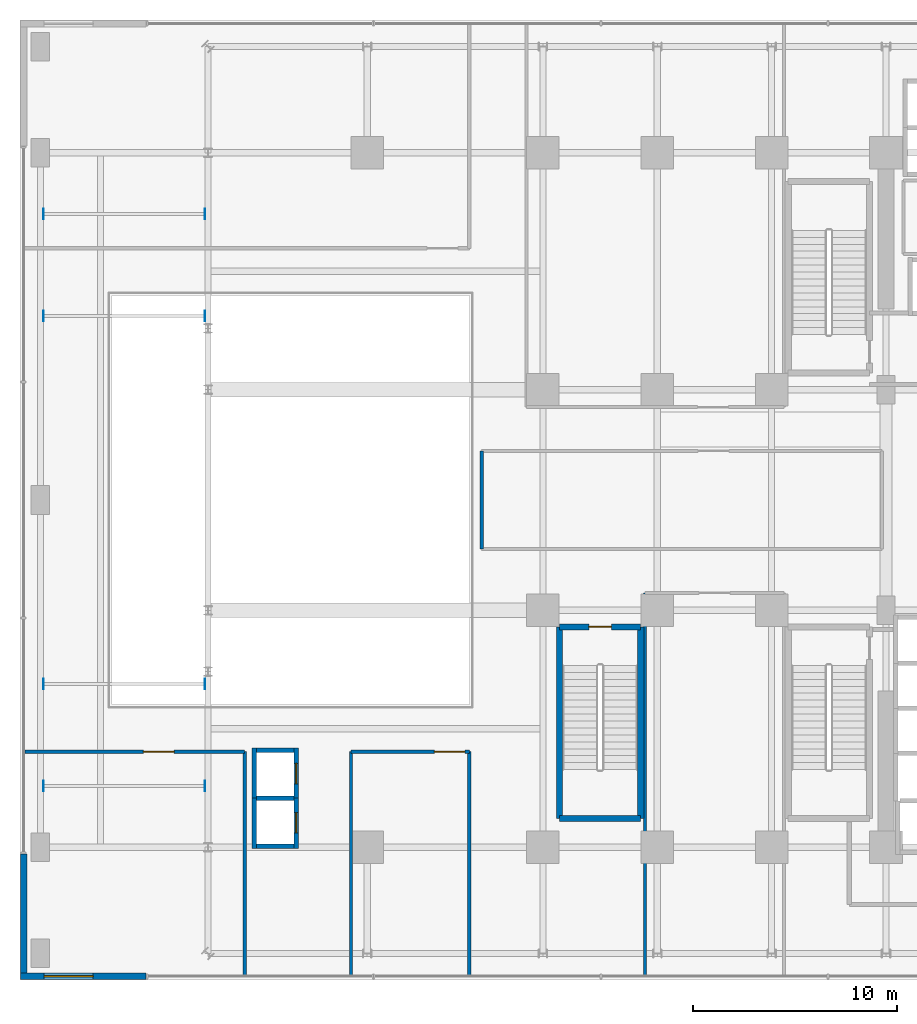
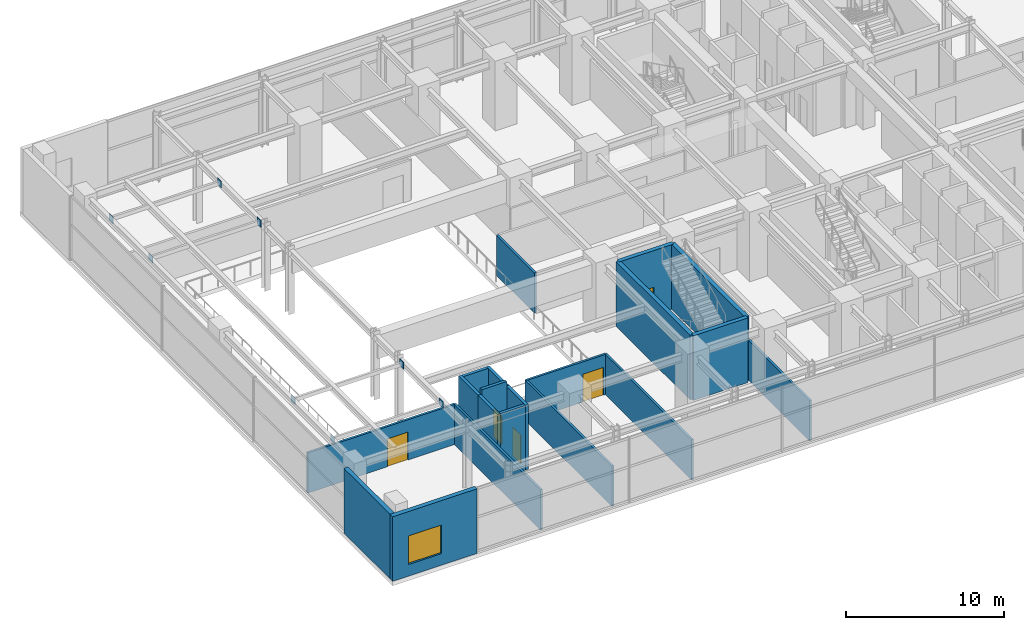
# One storey, part 27 of 35: 20 walls, 8 plates, 5 doors, 1 window, 6 openings.
"""IFC4 building model written with IfcOpenShell, lengths in metres."""

from ifc_helpers import new_model, si_unit, direction, frame, frame_2d, origin, origin_2d, place, context, subcontext, project, spatial, rectangle, extrude, source, transform, mapped, material, layer, layer_set, type_object, element, fill, save


model = new_model("IFC4")

# Units and contexts
model_context = context("Model", 3, precision=1e-05, world=origin(), true_north=direction((0.0, 1.0)))
body_context = subcontext(model_context, "Body", "Model", "MODEL_VIEW")
ifc_project = project(units=[si_unit("LENGTHUNIT", "METRE"), si_unit("AREAUNIT", "SQUARE_METRE"), si_unit("VOLUMEUNIT", "CUBIC_METRE"), si_unit("PLANEANGLEUNIT", "RADIAN"), si_unit("MASSUNIT", "GRAM", prefix="KILO")], contexts=[model_context])

# Site, building, storey
site_placement = place(None, origin())
site = spatial("IfcSite", under=ifc_project, at=site_placement, CompositionType="ELEMENT")
building_placement = place(site_placement, origin())
building = spatial("IfcBuilding", under=site, at=building_placement, Name="Nahalor Promenade Grand Hotel", CompositionType="ELEMENT")
storey_placement = place(building_placement, frame((0.0, 0.0, 21.60009765625)))
storey = spatial("IfcBuildingStorey", under=building, at=storey_placement, Name="L04", CompositionType="ELEMENT", Elevation=21.60009765625)

# Plates
ifc_material_1 = material(Name="Steel S355JR", Category="steel")
ifc_layer_1 = layer(ifc_material_1, 0.02490234375)
ifc_layer_set_1 = layer_set([ifc_layer_1], Name="Steel S355JR")
plate_type = type_object("IfcPlateType", Name="Plate-EndCap-25", PredefinedType="USERDEFINED", material=ifc_layer_set_1)
shared_shape_1 = source(origin(), body_context, "Body", "SweptSolid", [
    extrude(rectangle(XDim=0.52001953125, YDim=0.02490234375, at=origin_2d()), origin(), (0.0, 0.0, 1.0), 0.52001953125),
])
for number, where, z_axis, x_axis, name in (
    (1, (-32.85009765625, -14.0, 4.559814453125), (0.0, 0.0, 1.0), (0.0, 1.0, 0.0), "PL-L04PURL-B0-0"),
    (2, (-24.949951171875, -14.0, 4.559814453125), (0.0, 0.0, 1.0), (0.0, 1.0, 0.0), "PL-L04PURL-B0-1"),
    (3, (-32.85009765625, -9.0, 4.559814453125), (0.0, 0.0, 1.0), (0.0, 1.0, 0.0), "PL-L04PURL-B1-0"),
    (4, (-24.949951171875, -9.0, 4.559814453125), (0.0, 0.0, 1.0), (0.0, 1.0, 0.0), "PL-L04PURL-B1-1"),
    (5, (-32.85009765625, 9.0, 4.559814453125), (0.0, 0.0, 1.0), (0.0, 1.0, 0.0), "PL-L04PURL-B2-0"),
    (6, (-24.949951171875, 9.0, 4.559814453125), (0.0, 0.0, 1.0), (0.0, 1.0, 0.0), "PL-L04PURL-B2-1"),
    (7, (-32.85009765625, 14.0, 4.559814453125), (0.0, 0.0, 1.0), (0.0, 1.0, 0.0), "PL-L04PURL-B3-0"),
    (8, (-24.949951171875, 14.0, 4.559814453125), (0.0, 0.0, 1.0), (0.0, 1.0, 0.0), "PL-L04PURL-B3-1"),
):
    element("IfcPlate", number, at=place(storey_placement, frame(where, z_axis=z_axis, x_axis=x_axis)), inside=storey, type_object=plate_type, Name=name, ObjectType="CAP_PLATE", PredefinedType="USERDEFINED", context=body_context, shape_type="MappedRepresentation", body=[
        mapped(shared_shape_1, transform((0.0, 0.0, 0.0), scale=1.0)),
    ])

# Wall
ifc_material_2 = material(Name="Concrete B-50 (C40/50)", Category="concrete")
ifc_layer_2 = layer(ifc_material_2, 0.300048828125)
ifc_layer_set_2 = layer_set([ifc_layer_2], Name="Concrete B-50 (C40/50)")
wall_type_1 = type_object("IfcWallType", Name="Wall-ShaftShear-300", PredefinedType="SHEAR", material=ifc_layer_set_2)
shared_shape_2 = source(origin(), body_context, "Body", "SweptSolid", [
    extrude(rectangle(XDim=3.97998046875, YDim=0.300048828125, at=frame_2d((1.989990234375, 0.0))), origin(), (0.0, 0.0, 1.0), 4.97998046875),
])
wall_1_placement = place(storey_placement, frame((-7.590087890625, -15.590087890625, 0.0), z_axis=(0.0, 0.0, 1.0), x_axis=(1.0, 0.0, 0.0)))
element("IfcWall", 9, at=wall_1_placement, inside=storey, type_object=wall_type_1, Name="L04 Exit Stair ST3 Shaft Wall S", PredefinedType="SHEAR", context=body_context, shape_type="MappedRepresentation", body=[
    mapped(shared_shape_2, transform((0.0, 0.0, 0.0), scale=1.0)),
])

# Wall, opening, door
wall_2_placement = place(storey_placement, frame((-7.590087890625, -6.2099609375, 0.0), z_axis=(0.0, 0.0, 1.0), x_axis=(1.0, 0.0, 0.0)))
wall_2 = element("IfcWall", 10, at=wall_2_placement, inside=storey, type_object=wall_type_1, Name="L04 Exit Stair ST3 Shaft Wall N", PredefinedType="SHEAR", context=body_context, shape_type="MappedRepresentation", body=[
    mapped(shared_shape_2, transform((0.0, 0.0, 0.0), scale=1.0)),
])
opening_1_placement = place(wall_2_placement, frame((1.43994140625, 0.0, 0.0)))
opening_1 = element("IfcOpeningElement", 11, at=opening_1_placement, cuts=wall_2, Name="Opening D-ST1", PredefinedType="OPENING", context=body_context, shape_type="SweptSolid", body=[
    extrude(rectangle(XDim=1.10009765625, YDim=2.14990234375, at=frame_2d((0.550048828125, 1.074951171875))), frame((0.0, 0.159912109375, 0.0), z_axis=(0.0, -1.0, 0.0), x_axis=(1.0, 0.0, 0.0)), (0.0, 0.0, 1.0), 0.320068359375),
])
door_type_1 = type_object("IfcDoorType", Name="Door-StairFire-1100", OperationType="NOTDEFINED", PredefinedType="DOOR", material=ifc_material_1)
shared_shape_3 = source(origin(), body_context, "Body", "SweptSolid", [
    extrude(rectangle(XDim=1.10009765625, YDim=2.14990234375, at=frame_2d((0.550048828125, 1.074951171875))), frame((0.0, 0.02490234375, 0.0), z_axis=(0.0, -1.0, 0.0), x_axis=(1.0, 0.0, 0.0)), (0.0, 0.0, 1.0), 0.050048828125),
])
door_1_placement = place(opening_1_placement, frame((1.10009765625, 0.0, 0.0), z_axis=(0.0, 0.0, 1.0), x_axis=(-1.0, 0.0, 0.0)))
door_1 = element("IfcDoor", 12, at=door_1_placement, inside=storey, type_object=door_type_1, Name="DR-STAIR-ST3-L04", OperationType="SINGLE_SWING_LEFT", OverallHeight=2.14990234375, OverallWidth=1.10009765625, PredefinedType="DOOR", context=body_context, shape_type="MappedRepresentation", body=[
    mapped(shared_shape_3, transform((0.0, 0.0, 0.0), scale=1.0)),
])
fill(opening_1, door_1)

# Walls
shared_shape_4 = source(origin(), body_context, "Body", "SweptSolid", [
    extrude(rectangle(XDim=9.380126953125, YDim=0.300048828125, at=frame_2d((4.68994140625, 0.0))), origin(), (0.0, 0.0, 1.0), 4.97998046875),
])
for number, where, z_axis, x_axis, name in (
    (13, (-7.590087890625, -15.590087890625, 0.0), (0.0, 0.0, 1.0), (0.0, 1.0, 0.0), "L04 Exit Stair ST3 Shaft Wall W"),
    (14, (-3.610107421875, -15.590087890625, 0.0), (0.0, 0.0, 1.0), (0.0, 1.0, 0.0), "L04 Exit Stair ST3 Shaft Wall E"),
):
    element("IfcWall", number, at=place(storey_placement, frame(where, z_axis=z_axis, x_axis=x_axis)), inside=storey, type_object=wall_type_1, Name=name, PredefinedType="SHEAR", context=body_context, shape_type="MappedRepresentation", body=[
        mapped(shared_shape_4, transform((0.0, 0.0, 0.0), scale=1.0)),
    ])
ifc_layer_3 = layer(ifc_material_2, 0.219970703125)
ifc_layer_set_3 = layer_set([ifc_layer_3], Name="Concrete B-50 (C40/50)")
wall_type_2 = type_object("IfcWallType", Name="Wall-LiftShaft-220", PredefinedType="SHEAR", material=ifc_layer_set_3)
shared_shape_5 = source(origin(), body_context, "Body", "SweptSolid", [
    extrude(rectangle(XDim=1.81982421875, YDim=0.219970703125, at=frame_2d((0.909912109375, 0.0))), origin(), (0.0, 0.0, 1.0), 5.39990234375),
])
wall_3_placement = place(storey_placement, frame((-22.409912109375, -14.60009765625, 0.0), z_axis=(0.0, 0.0, 1.0), x_axis=(1.0, 0.0, 0.0)))
element("IfcWall", 15, at=wall_3_placement, inside=storey, type_object=wall_type_2, Name="L04 Lift PD1 Hoistway Wall N", PredefinedType="SHEAR", context=body_context, shape_type="MappedRepresentation", body=[
    mapped(shared_shape_5, transform((0.0, 0.0, 0.0), scale=1.0)),
])
shared_shape_6 = source(origin(), body_context, "Body", "SweptSolid", [
    extrude(rectangle(XDim=2.4599609375, YDim=0.219970703125, at=frame_2d((1.22998046875, 0.0))), origin(), (0.0, 0.0, 1.0), 4.97998046875),
])
wall_4_placement = place(storey_placement, frame((-22.52001953125, -17.06005859375, 0.0), z_axis=(0.0, 0.0, 1.0), x_axis=(0.0, 1.0, 0.0)))
element("IfcWall", 16, at=wall_4_placement, inside=storey, type_object=wall_type_2, Name="L04 Lift PD1 Hoistway Wall W", PredefinedType="SHEAR", context=body_context, shape_type="MappedRepresentation", body=[
    mapped(shared_shape_6, transform((0.0, 0.0, 0.0), scale=1.0)),
])

# Wall, opening, door
wall_5_placement = place(storey_placement, frame((-20.47998046875, -17.06005859375, 0.0), z_axis=(0.0, 0.0, 1.0), x_axis=(0.0, 1.0, 0.0)))
wall_5 = element("IfcWall", 17, at=wall_5_placement, inside=storey, type_object=wall_type_2, Name="L04 Lift PD1 Hoistway Wall E", PredefinedType="SHEAR", context=body_context, shape_type="MappedRepresentation", body=[
    mapped(shared_shape_6, transform((0.0, 0.0, 0.0), scale=1.0)),
])
opening_2_placement = place(wall_5_placement, frame((0.760009765625, 0.0, 0.0)))
opening_2 = element("IfcOpeningElement", 18, at=opening_2_placement, cuts=wall_5, Name="Opening LD-01", PredefinedType="OPENING", context=body_context, shape_type="SweptSolid", body=[
    extrude(rectangle(XDim=1.0, YDim=2.199951171875, at=frame_2d((0.5, 1.10009765625))), frame((0.0, 0.119873046875, 0.0), z_axis=(0.0, -1.0, 0.0), x_axis=(1.0, 0.0, 0.0)), (0.0, 0.0, 1.0), 0.239990234375),
])
door_type_2 = type_object("IfcDoorType", Name="Door-LiftLanding-1000", OperationType="DOUBLE_DOOR_SLIDING", PredefinedType="DOOR", material=ifc_material_1)
shared_shape_7 = source(origin(), body_context, "Body", "SweptSolid", [
    extrude(rectangle(XDim=1.0, YDim=2.199951171875, at=frame_2d((0.5, 1.10009765625))), frame((0.0, 0.02490234375, 0.0), z_axis=(0.0, -1.0, 0.0), x_axis=(1.0, 0.0, 0.0)), (0.0, 0.0, 1.0), 0.050048828125),
])
door_2_placement = place(opening_2_placement, frame((1.0, 0.0, 0.0), z_axis=(0.0, 0.0, 1.0), x_axis=(-1.0, 0.0, 0.0)))
door_2 = element("IfcDoor", 19, at=door_2_placement, inside=storey, type_object=door_type_2, Name="DR-LIFT-PD1-L04", OperationType="DOUBLE_DOOR_SLIDING", OverallHeight=2.199951171875, OverallWidth=1.0, PredefinedType="DOOR", context=body_context, shape_type="MappedRepresentation", body=[
    mapped(shared_shape_7, transform((0.0, 0.0, 0.0), scale=1.0)),
])
fill(opening_2, door_2)

# Walls
shared_shape_8 = source(origin(), body_context, "Body", "SweptSolid", [
    extrude(rectangle(XDim=1.81982421875, YDim=0.219970703125, at=frame_2d((0.909912109375, 0.0))), origin(), (0.0, 0.0, 1.0), 4.97998046875),
])
for number, where, z_axis, x_axis, name in (
    (20, (-22.409912109375, -16.949951171875, 0.0), (0.0, 0.0, 1.0), (1.0, 0.0, 0.0), "L04 Lift PD1 Hoistway Wall S"),
    (21, (-22.409912109375, -12.25, 0.0), (0.0, 0.0, 1.0), (1.0, 0.0, 0.0), "L04 Lift PD2 Hoistway Wall N"),
):
    element("IfcWall", number, at=place(storey_placement, frame(where, z_axis=z_axis, x_axis=x_axis)), inside=storey, type_object=wall_type_2, Name=name, PredefinedType="SHEAR", context=body_context, shape_type="MappedRepresentation", body=[
        mapped(shared_shape_8, transform((0.0, 0.0, 0.0), scale=1.0)),
    ])
shared_shape_9 = source(origin(), body_context, "Body", "SweptSolid", [
    extrude(rectangle(XDim=2.460205078125, YDim=0.219970703125, at=frame_2d((1.22998046875, 0.0))), origin(), (0.0, 0.0, 1.0), 4.97998046875),
])
wall_6_placement = place(storey_placement, frame((-22.52001953125, -14.60009765625, 0.0), z_axis=(0.0, 0.0, 1.0), x_axis=(0.0, 1.0, 0.0)))
element("IfcWall", 22, at=wall_6_placement, inside=storey, type_object=wall_type_2, Name="L04 Lift PD2 Hoistway Wall W", PredefinedType="SHEAR", context=body_context, shape_type="MappedRepresentation", body=[
    mapped(shared_shape_9, transform((0.0, 0.0, 0.0), scale=1.0)),
])

# Wall, opening, door
wall_7_placement = place(storey_placement, frame((-20.47998046875, -14.60009765625, 0.0), z_axis=(0.0, 0.0, 1.0), x_axis=(0.0, 1.0, 0.0)))
wall_7 = element("IfcWall", 23, at=wall_7_placement, inside=storey, type_object=wall_type_2, Name="L04 Lift PD2 Hoistway Wall E", PredefinedType="SHEAR", context=body_context, shape_type="MappedRepresentation", body=[
    mapped(shared_shape_9, transform((0.0, 0.0, 0.0), scale=1.0)),
])
opening_3_placement = place(wall_7_placement, frame((0.699951171875, 0.0, 0.0)))
opening_3 = element("IfcOpeningElement", 24, at=opening_3_placement, cuts=wall_7, Name="Opening LD-01", PredefinedType="OPENING", context=body_context, shape_type="SweptSolid", body=[
    extrude(rectangle(XDim=1.0, YDim=2.199951171875, at=frame_2d((0.5, 1.10009765625))), frame((0.0, 0.119873046875, 0.0), z_axis=(0.0, -1.0, 0.0), x_axis=(1.0, 0.0, 0.0)), (0.0, 0.0, 1.0), 0.239990234375),
])
door_3_placement = place(opening_3_placement, frame((1.0, 0.0, 0.0), z_axis=(0.0, 0.0, 1.0), x_axis=(-1.0, 0.0, 0.0)))
door_3 = element("IfcDoor", 25, at=door_3_placement, inside=storey, type_object=door_type_2, Name="DR-LIFT-PD2-L04", OperationType="DOUBLE_DOOR_SLIDING", OverallHeight=2.199951171875, OverallWidth=1.0, PredefinedType="DOOR", context=body_context, shape_type="MappedRepresentation", body=[
    mapped(shared_shape_7, transform((0.0, 0.0, 0.0), scale=1.0)),
])
fill(opening_3, door_3)

# Wall, opening, window
ifc_material_3 = material(Name="Concrete B-40 (C32/40)", Category="concrete")
ifc_layer_4 = layer(ifc_material_3, 0.320068359375)
ifc_layer_set_4 = layer_set([ifc_layer_4], Name="Concrete B-40 (C32/40)")
wall_type_3 = type_object("IfcWallType", Name="Wall-LimestonePier-320", PredefinedType="STANDARD", material=ifc_layer_set_4)
shared_shape_10 = source(origin(), body_context, "Body", "SweptSolid", [
    extrude(rectangle(XDim=6.159912109375, YDim=0.320068359375, at=frame_2d((3.080078125, 0.0))), origin(), (0.0, 0.0, 1.0), 4.97998046875),
])
wall_8_placement = place(storey_placement, frame((-33.97998046875, -23.320068359375, 0.0), z_axis=(0.0, 0.0, 1.0), x_axis=(1.0, 0.0, 0.0)))
wall_8 = element("IfcWall", 26, at=wall_8_placement, inside=storey, type_object=wall_type_3, Name="W-L04-CRN-SW-X", PredefinedType="STANDARD", context=body_context, shape_type="MappedRepresentation", body=[
    mapped(shared_shape_10, transform((0.0, 0.0, 0.0), scale=1.0)),
])
opening_4_placement = place(wall_8_placement, frame((1.159912109375, 0.0, 0.89990234375)))
opening_4 = element("IfcOpeningElement", 27, at=opening_4_placement, cuts=wall_8, Name="Opening WN-02", PredefinedType="OPENING", context=body_context, shape_type="SweptSolid", body=[
    extrude(rectangle(XDim=2.39990234375, YDim=2.199951171875, at=frame_2d((1.199951171875, 1.10009765625))), frame((0.0, 0.169921875, 0.0), z_axis=(0.0, -1.0, 0.0), x_axis=(1.0, 0.0, 0.0)), (0.0, 0.0, 1.0), 0.340087890625),
])
ifc_material_4 = material(Name="Low-E Laminated Solar Glass", Category="glass")
window_type = type_object("IfcWindowType", Name="Win-PodiumArch-2400x2200", PartitioningType="SINGLE_PANEL", PredefinedType="WINDOW", material=ifc_material_4)
shared_shape_11 = source(origin(), body_context, "Body", "SweptSolid", [
    extrude(rectangle(XDim=2.39990234375, YDim=2.199951171875, at=frame_2d((1.199951171875, 1.10009765625))), frame((0.0, 0.030029296875, 0.0), z_axis=(0.0, -1.0, 0.0), x_axis=(1.0, 0.0, 0.0)), (0.0, 0.0, 1.0), 0.06005859375),
])
window_placement = place(opening_4_placement, origin())
window = element("IfcWindow", 28, at=window_placement, inside=storey, type_object=window_type, Name="WN-L04-SW-X", OverallHeight=2.199951171875, OverallWidth=2.39990234375, PartitioningType="SINGLE_PANEL", PredefinedType="WINDOW", context=body_context, shape_type="MappedRepresentation", body=[
    mapped(shared_shape_11, transform((0.0, 0.0, 0.0), scale=1.0)),
])
fill(opening_4, window)

# Walls
shared_shape_12 = source(origin(), body_context, "Body", "SweptSolid", [
    extrude(rectangle(XDim=5.83984375, YDim=0.320068359375, at=frame_2d((2.919921875, 0.0))), origin(), (0.0, 0.0, 1.0), 4.97998046875),
])
wall_9_placement = place(storey_placement, frame((-33.820068359375, -23.159912109375, 0.0), z_axis=(0.0, 0.0, 1.0), x_axis=(0.0, 1.0, 0.0)))
element("IfcWall", 29, at=wall_9_placement, inside=storey, type_object=wall_type_3, Name="W-L04-CRN-SW-Y", PredefinedType="STANDARD", context=body_context, shape_type="MappedRepresentation", body=[
    mapped(shared_shape_12, transform((0.0, 0.0, 0.0), scale=1.0)),
])
ifc_material_5 = material(Name="Acoustic Mineral Gypsum", Category="gypsum")
ifc_layer_5 = layer(ifc_material_5, 0.159912109375)
ifc_layer_set_5 = layer_set([ifc_layer_5], Name="Acoustic Mineral Gypsum")
wall_type_4 = type_object("IfcWallType", Name="Wall-PartCorridor-160", PredefinedType="PARTITIONING", material=ifc_layer_set_5)
shared_shape_13 = source(origin(), body_context, "Body", "SweptSolid", [
    extrude(rectangle(XDim=4.7998046875, YDim=0.159912109375, at=frame_2d((2.39990234375, 0.0))), origin(), (0.0, 0.0, 1.0), 3.099853515625),
])
wall_10_placement = place(storey_placement, frame((-11.39990234375, -2.39990234375, 0.0), z_axis=(0.0, 0.0, 1.0), x_axis=(0.0, 1.0, 0.0)))
element("IfcWall", 30, at=wall_10_placement, inside=storey, type_object=wall_type_4, Name="W-L04-PR01-W", PredefinedType="PARTITIONING", context=body_context, shape_type="MappedRepresentation", body=[
    mapped(shared_shape_13, transform((0.0, 0.0, 0.0), scale=1.0)),
])
shared_shape_14 = source(origin(), body_context, "Body", "SweptSolid", [
    extrude(rectangle(XDim=10.93994140625, YDim=0.159912109375, at=frame_2d((5.469970703125, 0.0))), origin(), (0.0, 0.0, 1.0), 3.099853515625),
])
for number, where, z_axis, x_axis, name in (
    (31, (-23.0, -23.260009765625, 0.0), (0.0, 0.0, 1.0), (0.0, 1.0, 0.0), "W-L04-PR05-E"),
    (32, (-17.800048828125, -23.260009765625, 0.0), (0.0, 0.0, 1.0), (0.0, 1.0, 0.0), "W-L04-PR06-W"),
    (33, (-12.0, -23.260009765625, 0.0), (0.0, 0.0, 1.0), (0.0, 1.0, 0.0), "W-L04-PR06-E"),
):
    element("IfcWall", number, at=place(storey_placement, frame(where, z_axis=z_axis, x_axis=x_axis)), inside=storey, type_object=wall_type_4, Name=name, PredefinedType="PARTITIONING", context=body_context, shape_type="MappedRepresentation", body=[
        mapped(shared_shape_14, transform((0.0, 0.0, 0.0), scale=1.0)),
    ])
shared_shape_15 = source(origin(), body_context, "Body", "SweptSolid", [
    extrude(rectangle(XDim=18.7099609375, YDim=0.159912109375, at=frame_2d((9.35498046875, 0.0))), origin(), (0.0, 0.0, 1.0), 3.099853515625),
])
wall_11_placement = place(storey_placement, frame((-3.39990234375, -23.260009765625, 0.0), z_axis=(0.0, 0.0, 1.0), x_axis=(0.0, 1.0, 0.0)))
element("IfcWall", 34, at=wall_11_placement, inside=storey, type_object=wall_type_4, Name="W-L04-PR07-W", PredefinedType="PARTITIONING", context=body_context, shape_type="MappedRepresentation", body=[
    mapped(shared_shape_15, transform((0.0, 0.0, 0.0), scale=1.0)),
])

# Wall, opening, door
shared_shape_16 = source(origin(), body_context, "Body", "SweptSolid", [
    extrude(rectangle(XDim=10.760009765625, YDim=0.159912109375, at=frame_2d((5.3798828125, 0.0))), origin(), (0.0, 0.0, 1.0), 3.099853515625),
])
wall_12_placement = place(storey_placement, frame((-33.760009765625, -12.320068359375, 0.0), z_axis=(0.0, 0.0, 1.0), x_axis=(1.0, 0.0, 0.0)))
wall_12 = element("IfcWall", 35, at=wall_12_placement, inside=storey, type_object=wall_type_4, Name="W-L04-PR05-N", PredefinedType="PARTITIONING", context=body_context, shape_type="MappedRepresentation", body=[
    mapped(shared_shape_16, transform((0.0, 0.0, 0.0), scale=1.0)),
])
opening_5_placement = place(wall_12_placement, frame((5.803955078125, 0.0, 0.0)))
opening_5 = element("IfcOpeningElement", 36, at=opening_5_placement, cuts=wall_12, Name="Opening D-02", PredefinedType="OPENING", context=body_context, shape_type="SweptSolid", body=[
    extrude(rectangle(XDim=1.5, YDim=2.14990234375, at=frame_2d((0.75, 1.074951171875))), frame((0.0, 0.08984375, 0.0), z_axis=(0.0, -1.0, 0.0), x_axis=(1.0, 0.0, 0.0)), (0.0, 0.0, 1.0), 0.179931640625),
])
ifc_material_6 = material(Name="Fire-Rated Timber Composite", Category="wood")
door_type_3 = type_object("IfcDoorType", Name="Door-SuiteDouble-1500", OperationType="DOUBLE_DOOR_SINGLE_SWING", PredefinedType="DOOR", material=ifc_material_6)
shared_shape_17 = source(origin(), body_context, "Body", "SweptSolid", [
    extrude(rectangle(XDim=1.5, YDim=2.14990234375, at=frame_2d((0.75, 1.074951171875))), frame((0.0, 0.02490234375, 0.0), z_axis=(0.0, -1.0, 0.0), x_axis=(1.0, 0.0, 0.0)), (0.0, 0.0, 1.0), 0.050048828125),
])
door_4_placement = place(opening_5_placement, frame((1.5, 0.0, 0.0), z_axis=(0.0, 0.0, 1.0), x_axis=(-1.0, 0.0, 0.0)))
door_4 = element("IfcDoor", 37, at=door_4_placement, inside=storey, type_object=door_type_3, Name="DR-L04-PR05", OperationType="DOUBLE_DOOR_SINGLE_SWING", OverallHeight=2.14990234375, OverallWidth=1.5, PredefinedType="DOOR", context=body_context, shape_type="MappedRepresentation", body=[
    mapped(shared_shape_17, transform((0.0, 0.0, 0.0), scale=1.0)),
])
fill(opening_5, door_4)

shared_shape_18 = source(origin(), body_context, "Body", "SweptSolid", [
    extrude(rectangle(XDim=5.800048828125, YDim=0.159912109375, at=frame_2d((2.89990234375, 0.0))), origin(), (0.0, 0.0, 1.0), 3.099853515625),
])
wall_13_placement = place(storey_placement, frame((-17.800048828125, -12.320068359375, 0.0), z_axis=(0.0, 0.0, 1.0), x_axis=(1.0, 0.0, 0.0)))
wall_13 = element("IfcWall", 38, at=wall_13_placement, inside=storey, type_object=wall_type_4, Name="W-L04-PR06-N", PredefinedType="PARTITIONING", context=body_context, shape_type="MappedRepresentation", body=[
    mapped(shared_shape_18, transform((0.0, 0.0, 0.0), scale=1.0)),
])
opening_6_placement = place(wall_13_placement, frame((4.08203125, 0.0, 0.0)))
opening_6 = element("IfcOpeningElement", 39, at=opening_6_placement, cuts=wall_13, Name="Opening D-02", PredefinedType="OPENING", context=body_context, shape_type="SweptSolid", body=[
    extrude(rectangle(XDim=1.5, YDim=2.14990234375, at=frame_2d((0.75, 1.074951171875))), frame((0.0, 0.08984375, 0.0), z_axis=(0.0, -1.0, 0.0), x_axis=(1.0, 0.0, 0.0)), (0.0, 0.0, 1.0), 0.179931640625),
])
door_5_placement = place(opening_6_placement, frame((1.5, 0.0, 0.0), z_axis=(0.0, 0.0, 1.0), x_axis=(-1.0, 0.0, 0.0)))
door_5 = element("IfcDoor", 40, at=door_5_placement, inside=storey, type_object=door_type_3, Name="DR-L04-PR06", OperationType="DOUBLE_DOOR_SINGLE_SWING", OverallHeight=2.14990234375, OverallWidth=1.5, PredefinedType="DOOR", context=body_context, shape_type="MappedRepresentation", body=[
    mapped(shared_shape_17, transform((0.0, 0.0, 0.0), scale=1.0)),
])
fill(opening_6, door_5)

save(model, "model.ifc")
